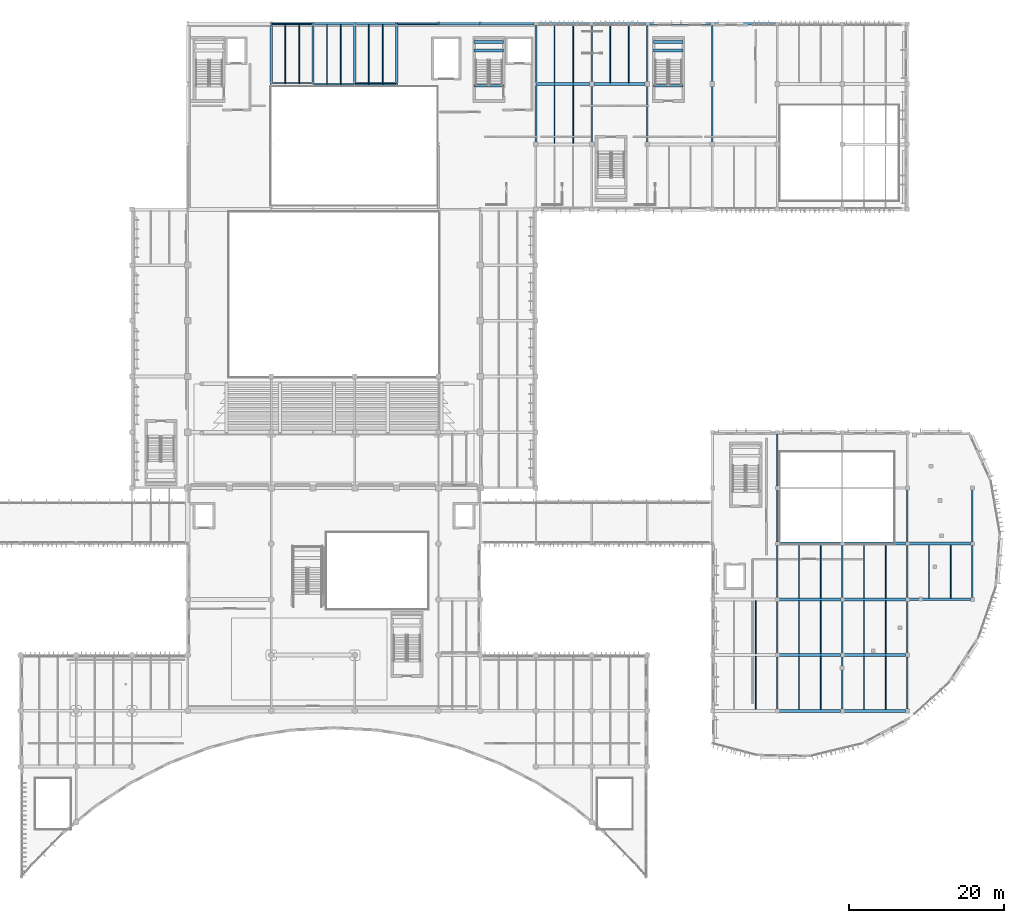
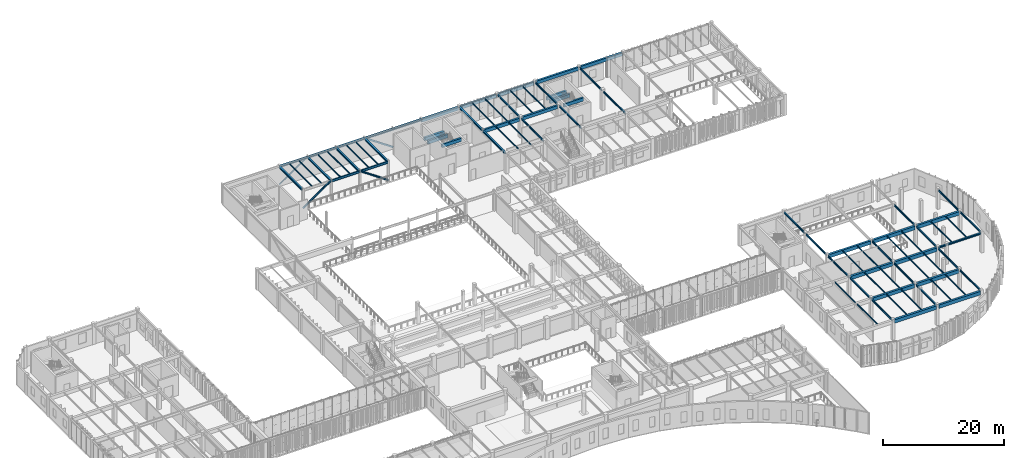
# One storey, part 15 of 122: 84 beams, 4 members.
"""IFC4 building model written with IfcOpenShell, lengths in metres."""

from ifc_helpers import new_model, si_unit, direction, frame, origin, origin_2d, place, context, subcontext, project, spatial, rectangle, hollow_rectangle, hollow_circle, i_section, extrude, material, material_profile, profile_set, type_object, element, save


model = new_model("IFC4")

# Units and contexts
model_context = context("Model", 3, precision=1e-05, world=origin(), true_north=direction((0.0, 1.0)))
body_context = subcontext(model_context, "Body", "Model", "MODEL_VIEW")
ifc_project = project(units=[si_unit("LENGTHUNIT", "METRE"), si_unit("AREAUNIT", "SQUARE_METRE"), si_unit("VOLUMEUNIT", "CUBIC_METRE"), si_unit("PLANEANGLEUNIT", "RADIAN"), si_unit("MASSUNIT", "GRAM", prefix="KILO")], contexts=[model_context])

# Site, building, storey
site_placement = place(None, origin())
site = spatial("IfcSite", under=ifc_project, at=site_placement, CompositionType="ELEMENT")
building_placement = place(site_placement, origin())
building = spatial("IfcBuilding", under=site, at=building_placement, Name="Tazoul Stagehouse", CompositionType="ELEMENT")
storey_placement = place(building_placement, frame((0.0, 0.0, 4.800048828125)))
storey = spatial("IfcBuildingStorey", under=building, at=storey_placement, Name="L01", CompositionType="ELEMENT", Elevation=4.800048828125)

# Members
ifc_material_1 = material(Name="Steel S355", Category="steel")
ifc_material_profile_1 = material_profile(ifc_material_1, hollow_rectangle(XDim=0.199951171875, YDim=0.300048828125, WallThickness=0.012451171875, InnerFilletRadius=0.012451171875, OuterFilletRadius=0.018798828125, at=origin_2d()), Name="RHS 300x200x12.5")
ifc_profile_set_1 = profile_set([ifc_material_profile_1], Name="Steel S355")
member_type_1 = type_object("IfcMemberType", Name="Heavy Frame Brace RHS 300x200x12.5 (Exterior)", PredefinedType="BRACE", material=ifc_profile_set_1)
member_1_placement = place(storey_placement, frame((90.0, 111.800048828125, 0.14990234375), z_axis=(-0.824931084121, 0.0, 0.565233320366), x_axis=(0.0, -1.0, 0.0)))
element("IfcMember", 1, at=member_1_placement, inside=storey, type_object=member_type_1, Name="L01 Concentric Brace BR-06E (BR-FT-L01-N2)", PredefinedType="BRACE", context=body_context, shape_type="SweptSolid", body=[
    extrude(hollow_rectangle(XDim=0.199951171875, YDim=0.300048828125, WallThickness=0.012451171875, InnerFilletRadius=0.012451171875, OuterFilletRadius=0.018798828125, at=origin_2d()), origin(), (0.0, 0.0, 1.0), 6.5458984375),
])
ifc_material_profile_2 = material_profile(ifc_material_1, hollow_rectangle(XDim=0.14990234375, YDim=0.25, WallThickness=0.010009765625, InnerFilletRadius=0.010009765625, OuterFilletRadius=0.014892578125, at=origin_2d()), Name="RHS 250x150x10")
ifc_profile_set_2 = profile_set([ifc_material_profile_2], Name="Steel S355")
member_type_2 = type_object("IfcMemberType", Name="Lateral Frame Brace RHS 250x150x10 (Exterior)", PredefinedType="BRACE", material=ifc_profile_set_2)
member_2_placement = place(storey_placement, frame((68.39990234375, 111.800048828125, 0.14990234375), z_axis=(0.824942999484, 0.0, 0.565215930068), x_axis=(0.0, 1.0, 0.0)))
element("IfcMember", 2, at=member_2_placement, inside=storey, type_object=member_type_2, Name="L01 Concentric Brace BR-05E (BR-FT-L01-N1)", PredefinedType="BRACE", context=body_context, shape_type="SweptSolid", body=[
    extrude(hollow_rectangle(XDim=0.14990234375, YDim=0.25, WallThickness=0.010009765625, InnerFilletRadius=0.010009765625, OuterFilletRadius=0.014892578125, at=origin_2d()), origin(), (0.0, 0.0, 1.0), 6.546142578125),
])

# Beams
ifc_material_2 = material(Name="Concrete C40/50", Category="concrete")
ifc_material_profile_3 = material_profile(ifc_material_2, rectangle(XDim=0.35009765625, YDim=0.64990234375, at=origin_2d()), Name="RC 350x650")
ifc_profile_set_3 = profile_set([ifc_material_profile_3], Name="Concrete C40/50")
beam_type_1 = type_object("IfcBeamType", Name="RC Perimeter Spandrel 350x650 (Exterior)", PredefinedType="SPANDREL", material=ifc_profile_set_3)
beam_1_placement = place(storey_placement, frame((95.409912109375, 111.800048828125, 3.613037109375), z_axis=(1.0, 0.0, 0.0), x_axis=(0.0, 1.0, 0.0)))
element("IfcBeam", 3, at=beam_1_placement, inside=storey, type_object=beam_type_1, Name="L01 Beam SP-01E R/15-16", PredefinedType="SPANDREL", context=body_context, shape_type="SweptSolid", body=[
    extrude(rectangle(XDim=0.35009765625, YDim=0.64990234375, at=origin_2d()), origin(), (0.0, 0.0, 1.0), 6.965087890625),
])
for number, where, z_axis, x_axis, name in (
    (4, (102.824951171875, 111.800048828125, 3.613037109375), (1.0, 0.0, 0.0), (0.0, 1.0, 0.0), "L01 Beam SP-01E R/16-17"),
    (5, (110.02490234375, 111.800048828125, 3.613037109375), (1.0, 0.0, 0.0), (0.0, 1.0, 0.0), "L01 Beam SP-01E R/17-18"),
):
    element("IfcBeam", number, at=place(storey_placement, frame(where, z_axis=z_axis, x_axis=x_axis)), inside=storey, type_object=beam_type_1, Name=name, PredefinedType="SPANDREL", context=body_context, shape_type="SweptSolid", body=[
        extrude(rectangle(XDim=0.35009765625, YDim=0.64990234375, at=origin_2d()), origin(), (0.0, 0.0, 1.0), 6.75),
    ])
for number, where, z_axis, x_axis, name in (
    (6, (117.22509765625, 111.800048828125, 3.613037109375), (1.0, 0.0, 0.0), (0.0, 1.0, 0.0), "L01 Beam SP-01E R/18-19"),
    (7, (125.625, 111.800048828125, 3.613037109375), (1.0, 0.0, 0.0), (0.0, 1.0, 0.0), "L01 Beam SP-01E R/19-20"),
):
    element("IfcBeam", number, at=place(storey_placement, frame(where, z_axis=z_axis, x_axis=x_axis)), inside=storey, type_object=beam_type_1, Name=name, PredefinedType="SPANDREL", context=body_context, shape_type="SweptSolid", body=[
        extrude(rectangle(XDim=0.35009765625, YDim=0.64990234375, at=origin_2d()), origin(), (0.0, 0.0, 1.0), 7.949951171875),
    ])
ifc_material_profile_4 = material_profile(ifc_material_2, rectangle(XDim=0.35009765625, YDim=0.64990234375, at=origin_2d()), Name="RC 350x650")
ifc_profile_set_4 = profile_set([ifc_material_profile_4], Name="Concrete C40/50")
beam_type_2 = type_object("IfcBeamType", Name="RC Primary Girder 350x650", PredefinedType="BEAM", material=ifc_profile_set_4)
beam_2_placement = place(storey_placement, frame((102.610107421875, 104.0, 3.613037109375), z_axis=(1.0, 0.0, 0.0), x_axis=(0.0, 1.0, 0.0)))
element("IfcBeam", 8, at=beam_2_placement, inside=storey, type_object=beam_type_2, Name="L01 Beam BM-01 Q/16-17", PredefinedType="BEAM", context=body_context, shape_type="SweptSolid", body=[
    extrude(rectangle(XDim=0.35009765625, YDim=0.64990234375, at=origin_2d()), origin(), (0.0, 0.0, 1.0), 6.914794921875),
])
beam_3_placement = place(storey_placement, frame((110.074951171875, 104.0, 3.613037109375), z_axis=(1.0, 0.0, 0.0), x_axis=(0.0, 1.0, 0.0)))
element("IfcBeam", 9, at=beam_3_placement, inside=storey, type_object=beam_type_2, Name="L01 Beam BM-01 Q/17-18", PredefinedType="BEAM", context=body_context, shape_type="SweptSolid", body=[
    extrude(rectangle(XDim=0.35009765625, YDim=0.64990234375, at=origin_2d()), origin(), (0.0, 0.0, 1.0), 6.650146484375),
])
for number, where, z_axis, x_axis, name in (
    (10, (94.6201171875, 108.35009765625, 1.579833984375), (1.0, 0.0, 0.0), (0.0, 1.0, 0.0), "L01 Stair Half-Landing Trimmer BM-01 (ST-01-1)"),
    (11, (94.6201171875, 109.449951171875, 1.579833984375), (1.0, 0.0, 0.0), (0.0, 1.0, 0.0), "L01 Stair Half-Landing Trimmer BM-01 (ST-01-2)"),
    (12, (94.6201171875, 103.800048828125, 3.614990234375), (1.0, 0.0, 0.0), (0.0, 1.0, 0.0), "L01 Stair Landing Trimmer BM-01 (ST-01-FL)"),
    (13, (117.820068359375, 108.35009765625, 1.579833984375), (1.0, 0.0, 0.0), (0.0, 1.0, 0.0), "L01 Stair Half-Landing Trimmer BM-01 (ST-02-1)"),
    (14, (117.820068359375, 109.449951171875, 1.579833984375), (1.0, 0.0, 0.0), (0.0, 1.0, 0.0), "L01 Stair Half-Landing Trimmer BM-01 (ST-02-2)"),
    (15, (117.820068359375, 103.800048828125, 3.614990234375), (1.0, 0.0, 0.0), (0.0, 1.0, 0.0), "L01 Stair Landing Trimmer BM-01 (ST-02-FL)"),
):
    element("IfcBeam", number, at=place(storey_placement, frame(where, z_axis=z_axis, x_axis=x_axis)), inside=storey, type_object=beam_type_2, Name=name, PredefinedType="BEAM", context=body_context, shape_type="SweptSolid", body=[
        extrude(rectangle(XDim=0.35009765625, YDim=0.64990234375, at=origin_2d()), origin(), (0.0, 0.0, 1.0), 3.809814453125),
    ])
ifc_material_profile_5 = material_profile(ifc_material_2, rectangle(XDim=0.39990234375, YDim=0.699951171875, at=origin_2d()), Name="RC 400x700")
ifc_profile_set_5 = profile_set([ifc_material_profile_5], Name="Concrete C40/50")
beam_type_3 = type_object("IfcBeamType", Name="RC Primary Girder 400x700", PredefinedType="BEAM", material=ifc_profile_set_5)
beam_4_placement = place(storey_placement, frame((134.02490234375, 23.0, 3.60791015625), z_axis=(1.0, 0.0, 0.0), x_axis=(0.0, 1.0, 0.0)))
element("IfcBeam", 16, at=beam_4_placement, inside=storey, type_object=beam_type_3, Name="L01 Beam BM-02 D/20-21", PredefinedType="BEAM", context=body_context, shape_type="SweptSolid", body=[
    extrude(rectangle(XDim=0.39990234375, YDim=0.699951171875, at=origin_2d()), origin(), (0.0, 0.0, 1.0), 7.9501953125),
])
beam_5_placement = place(storey_placement, frame((142.425048828125, 23.0, 3.60791015625), z_axis=(1.0, 0.0, 0.0), x_axis=(0.0, 1.0, 0.0)))
element("IfcBeam", 17, at=beam_5_placement, inside=storey, type_object=beam_type_3, Name="L01 Beam BM-02 D/21-22", PredefinedType="BEAM", context=body_context, shape_type="SweptSolid", body=[
    extrude(rectangle(XDim=0.39990234375, YDim=0.699951171875, at=origin_2d()), origin(), (0.0, 0.0, 1.0), 7.949951171875),
])
beam_6_placement = place(storey_placement, frame((134.02490234375, 30.199951171875, 3.587890625), z_axis=(1.0, 0.0, 0.0), x_axis=(0.0, 1.0, 0.0)))
element("IfcBeam", 18, at=beam_6_placement, inside=storey, type_object=beam_type_3, Name="L01 Beam BM-02 E/20-21", PredefinedType="BEAM", context=body_context, shape_type="SweptSolid", body=[
    extrude(rectangle(XDim=0.39990234375, YDim=0.699951171875, at=origin_2d()), origin(), (0.0, 0.0, 1.0), 7.9501953125),
])
beam_7_placement = place(storey_placement, frame((142.425048828125, 30.199951171875, 3.587890625), z_axis=(1.0, 0.0, 0.0), x_axis=(0.0, 1.0, 0.0)))
element("IfcBeam", 19, at=beam_7_placement, inside=storey, type_object=beam_type_3, Name="L01 Beam BM-02 E/21-22", PredefinedType="BEAM", context=body_context, shape_type="SweptSolid", body=[
    extrude(rectangle(XDim=0.39990234375, YDim=0.699951171875, at=origin_2d()), origin(), (0.0, 0.0, 1.0), 7.949951171875),
])
beam_8_placement = place(storey_placement, frame((134.02490234375, 37.39990234375, 3.587890625), z_axis=(1.0, 0.0, 0.0), x_axis=(0.0, 1.0, 0.0)))
element("IfcBeam", 20, at=beam_8_placement, inside=storey, type_object=beam_type_3, Name="L01 Beam BM-02 F/20-21", PredefinedType="BEAM", context=body_context, shape_type="SweptSolid", body=[
    extrude(rectangle(XDim=0.39990234375, YDim=0.699951171875, at=origin_2d()), origin(), (0.0, 0.0, 1.0), 7.9501953125),
])
beam_9_placement = place(storey_placement, frame((142.425048828125, 37.39990234375, 3.587890625), z_axis=(1.0, 0.0, 0.0), x_axis=(0.0, 1.0, 0.0)))
element("IfcBeam", 21, at=beam_9_placement, inside=storey, type_object=beam_type_3, Name="L01 Beam BM-02 F/21-22", PredefinedType="BEAM", context=body_context, shape_type="SweptSolid", body=[
    extrude(rectangle(XDim=0.39990234375, YDim=0.699951171875, at=origin_2d()), origin(), (0.0, 0.0, 1.0), 7.949951171875),
])
beam_10_placement = place(storey_placement, frame((134.02490234375, 44.60009765625, 3.587890625), z_axis=(1.0, 0.0, 0.0), x_axis=(0.0, 1.0, 0.0)))
element("IfcBeam", 22, at=beam_10_placement, inside=storey, type_object=beam_type_3, Name="L01 Beam BM-02 G/20-21", PredefinedType="BEAM", context=body_context, shape_type="SweptSolid", body=[
    extrude(rectangle(XDim=0.39990234375, YDim=0.699951171875, at=origin_2d()), origin(), (0.0, 0.0, 1.0), 7.9501953125),
])
for number, where, z_axis, x_axis, name in (
    (23, (142.425048828125, 44.60009765625, 3.587890625), (1.0, 0.0, 0.0), (0.0, 1.0, 0.0), "L01 Beam BM-02 G/21-22"),
    (24, (150.824951171875, 44.60009765625, 3.587890625), (1.0, 0.0, 0.0), (0.0, 1.0, 0.0), "L01 Beam BM-02 G/22-23"),
):
    element("IfcBeam", number, at=place(storey_placement, frame(where, z_axis=z_axis, x_axis=x_axis)), inside=storey, type_object=beam_type_3, Name=name, PredefinedType="BEAM", context=body_context, shape_type="SweptSolid", body=[
        extrude(rectangle(XDim=0.39990234375, YDim=0.699951171875, at=origin_2d()), origin(), (0.0, 0.0, 1.0), 7.949951171875),
    ])

# Members
ifc_material_profile_6 = material_profile(ifc_material_1, hollow_circle(Radius=0.177734375, WallThickness=0.01416015625, at=origin_2d()), Name="CHS 355.6x14.2")
ifc_profile_set_6 = profile_set([ifc_material_profile_6], Name="Steel S355")
member_type_3 = type_object("IfcMemberType", Name="Stagehouse Frame Brace CHS 355.6x14.2", PredefinedType="BRACE", material=ifc_profile_set_6)
for number, where, z_axis, x_axis, name in (
    (25, (68.39990234375, 104.0, 0.119873046875), (0.822803713649, 0.0, 0.568325653833), (0.0, 1.0, 0.0), "L01 Concentric Brace BR-04 (BR-FT-L01-IN1)"),
    (26, (84.60009765625, 104.0, 0.119873046875), (-0.822803713649, 0.0, 0.568325653833), (0.0, -1.0, 0.0), "L01 Concentric Brace BR-04 (BR-FT-L01-IN2)"),
):
    element("IfcMember", number, at=place(storey_placement, frame(where, z_axis=z_axis, x_axis=x_axis)), inside=storey, type_object=member_type_3, Name=name, PredefinedType="BRACE", context=body_context, shape_type="SweptSolid", body=[
        extrude(hollow_circle(Radius=0.177734375, WallThickness=0.01416015625, at=origin_2d()), origin(), (0.0, 0.0, 1.0), 6.56298828125),
    ])

# Beams
ifc_material_profile_7 = material_profile(ifc_material_1, i_section(OverallWidth=0.300048828125, OverallDepth=0.2900390625, WebThickness=0.008544921875, FlangeThickness=0.013916015625, FilletRadius=0.027099609375, at=origin_2d()), Name="HEA 300")
ifc_profile_set_7 = profile_set([ifc_material_profile_7], Name="Steel S355")
beam_type_4 = type_object("IfcBeamType", Name="Steel Crescent Spandrel HEA 300", PredefinedType="SPANDREL", material=ifc_profile_set_7)
beam_11_placement = place(storey_placement, frame((150.824951171875, 37.39990234375, 3.79296875), z_axis=(1.0, 0.0, 0.0), x_axis=(0.0, 1.0, 0.0)))
element("IfcBeam", 27, at=beam_11_placement, inside=storey, type_object=beam_type_4, Name="L01 Beam SP-03 F/22-23", PredefinedType="SPANDREL", context=body_context, shape_type="SweptSolid", body=[
    extrude(i_section(OverallWidth=0.300048828125, OverallDepth=0.2900390625, WebThickness=0.008544921875, FlangeThickness=0.013916015625, FilletRadius=0.027099609375, at=origin_2d()), origin(), (0.0, 0.0, 1.0), 7.949951171875),
])
ifc_material_profile_8 = material_profile(ifc_material_1, i_section(OverallWidth=0.1201171875, OverallDepth=0.239990234375, WebThickness=0.006103515625, FlangeThickness=0.009765625, FilletRadius=0.014892578125, at=origin_2d()), Name="IPE 240")
ifc_profile_set_8 = profile_set([ifc_material_profile_8], Name="Steel S355")
beam_type_5 = type_object("IfcBeamType", Name="Steel Floor Joist IPE 240", PredefinedType="JOIST", material=ifc_profile_set_8)
for number, where, z_axis, x_axis, name in (
    (28, (131.0, 23.175048828125, 3.837890625), (0.0, 1.0, 0.0), (-1.0, 0.0, 0.0), "L01 Joist JS-01 19/D-2"),
    (29, (136.60009765625, 23.175048828125, 3.837890625), (0.0, 1.0, 0.0), (-1.0, 0.0, 0.0), "L01 Joist JS-01 20/D-1"),
    (30, (139.39990234375, 23.175048828125, 3.837890625), (0.0, 1.0, 0.0), (-1.0, 0.0, 0.0), "L01 Joist JS-01 20/D-2"),
    (31, (145.0, 23.175048828125, 3.837890625), (0.0, 1.0, 0.0), (-1.0, 0.0, 0.0), "L01 Joist JS-01 21/D-1"),
    (32, (147.800048828125, 23.175048828125, 3.837890625), (0.0, 1.0, 0.0), (-1.0, 0.0, 0.0), "L01 Joist JS-01 21/D-2"),
):
    element("IfcBeam", number, at=place(storey_placement, frame(where, z_axis=z_axis, x_axis=x_axis)), inside=storey, type_object=beam_type_5, Name=name, PredefinedType="JOIST", context=body_context, shape_type="SweptSolid", body=[
        extrude(i_section(OverallWidth=0.1201171875, OverallDepth=0.239990234375, WebThickness=0.006103515625, FlangeThickness=0.009765625, FilletRadius=0.014892578125, at=origin_2d()), origin(), (0.0, 0.0, 1.0), 6.849853515625),
    ])
for number, where, z_axis, x_axis, name in (
    (33, (131.0, 30.375, 3.81787109375), (0.0, 1.0, 0.0), (-1.0, 0.0, 0.0), "L01 Joist JS-01 19/E-2"),
    (34, (136.60009765625, 30.375, 3.81787109375), (0.0, 1.0, 0.0), (-1.0, 0.0, 0.0), "L01 Joist JS-01 20/E-1"),
    (35, (139.39990234375, 30.375, 3.81787109375), (0.0, 1.0, 0.0), (-1.0, 0.0, 0.0), "L01 Joist JS-01 20/E-2"),
    (36, (145.0, 30.375, 3.81787109375), (0.0, 1.0, 0.0), (-1.0, 0.0, 0.0), "L01 Joist JS-01 21/E-1"),
    (37, (147.800048828125, 30.375, 3.81787109375), (0.0, 1.0, 0.0), (-1.0, 0.0, 0.0), "L01 Joist JS-01 21/E-2"),
    (38, (136.60009765625, 37.574951171875, 3.81787109375), (0.0, 1.0, 0.0), (-1.0, 0.0, 0.0), "L01 Joist JS-01 20/F-1"),
    (39, (139.39990234375, 37.574951171875, 3.81787109375), (0.0, 1.0, 0.0), (-1.0, 0.0, 0.0), "L01 Joist JS-01 20/F-2"),
    (40, (145.0, 37.574951171875, 3.81787109375), (0.0, 1.0, 0.0), (-1.0, 0.0, 0.0), "L01 Joist JS-01 21/F-1"),
    (41, (147.800048828125, 37.574951171875, 3.81787109375), (0.0, 1.0, 0.0), (-1.0, 0.0, 0.0), "L01 Joist JS-01 21/F-2"),
):
    element("IfcBeam", number, at=place(storey_placement, frame(where, z_axis=z_axis, x_axis=x_axis)), inside=storey, type_object=beam_type_5, Name=name, PredefinedType="JOIST", context=body_context, shape_type="SweptSolid", body=[
        extrude(i_section(OverallWidth=0.1201171875, OverallDepth=0.239990234375, WebThickness=0.006103515625, FlangeThickness=0.009765625, FilletRadius=0.014892578125, at=origin_2d()), origin(), (0.0, 0.0, 1.0), 6.85009765625),
    ])
for number, where, z_axis, x_axis, name in (
    (42, (153.39990234375, 37.52490234375, 3.81787109375), (0.0, 1.0, 0.0), (-1.0, 0.0, 0.0), "L01 Joist JS-01 22/F-1"),
    (43, (156.199951171875, 37.52490234375, 3.81787109375), (0.0, 1.0, 0.0), (-1.0, 0.0, 0.0), "L01 Joist JS-01 22/F-2"),
):
    element("IfcBeam", number, at=place(storey_placement, frame(where, z_axis=z_axis, x_axis=x_axis)), inside=storey, type_object=beam_type_5, Name=name, PredefinedType="JOIST", context=body_context, shape_type="SweptSolid", body=[
        extrude(i_section(OverallWidth=0.1201171875, OverallDepth=0.239990234375, WebThickness=0.006103515625, FlangeThickness=0.009765625, FilletRadius=0.014892578125, at=origin_2d()), origin(), (0.0, 0.0, 1.0), 6.900146484375),
    ])
for number, where, z_axis, x_axis, name in (
    (44, (105.0, 96.35009765625, 3.81787109375), (0.0, 1.0, 0.0), (-1.0, 0.0, 0.0), "L01 Joist JS-01 16/P-1"),
    (45, (107.39990234375, 96.35009765625, 3.81787109375), (0.0, 1.0, 0.0), (-1.0, 0.0, 0.0), "L01 Joist JS-01 16/P-2"),
):
    element("IfcBeam", number, at=place(storey_placement, frame(where, z_axis=z_axis, x_axis=x_axis)), inside=storey, type_object=beam_type_5, Name=name, PredefinedType="JOIST", context=body_context, shape_type="SweptSolid", body=[
        extrude(i_section(OverallWidth=0.1201171875, OverallDepth=0.239990234375, WebThickness=0.006103515625, FlangeThickness=0.009765625, FilletRadius=0.014892578125, at=origin_2d()), origin(), (0.0, 0.0, 1.0), 7.5),
    ])
for number, where, z_axis, x_axis, name in (
    (46, (70.199951171875, 104.070068359375, 3.81787109375), (0.0, 1.0, 0.0), (-1.0, 0.0, 0.0), "L01 Joist JS-01 10/Q-1"),
    (47, (72.0, 104.070068359375, 3.81787109375), (0.0, 1.0, 0.0), (-1.0, 0.0, 0.0), "L01 Joist JS-01 10/Q-2"),
    (48, (75.60009765625, 104.070068359375, 3.81787109375), (0.0, 1.0, 0.0), (-1.0, 0.0, 0.0), "L01 Joist JS-01 11/Q-1"),
    (49, (77.39990234375, 104.070068359375, 3.81787109375), (0.0, 1.0, 0.0), (-1.0, 0.0, 0.0), "L01 Joist JS-01 11/Q-2"),
    (50, (81.0, 104.070068359375, 3.81787109375), (0.0, 1.0, 0.0), (-1.0, 0.0, 0.0), "L01 Joist JS-01 12/Q-1"),
    (51, (82.800048828125, 104.070068359375, 3.81787109375), (0.0, 1.0, 0.0), (-1.0, 0.0, 0.0), "L01 Joist JS-01 12/Q-2"),
):
    element("IfcBeam", number, at=place(storey_placement, frame(where, z_axis=z_axis, x_axis=x_axis)), inside=storey, type_object=beam_type_5, Name=name, PredefinedType="JOIST", context=body_context, shape_type="SweptSolid", body=[
        extrude(i_section(OverallWidth=0.1201171875, OverallDepth=0.239990234375, WebThickness=0.006103515625, FlangeThickness=0.009765625, FilletRadius=0.014892578125, at=origin_2d()), origin(), (0.0, 0.0, 1.0), 7.60498046875),
    ])
for number, where, z_axis, x_axis, name in (
    (52, (105.0, 104.14990234375, 3.81787109375), (0.0, 1.0, 0.0), (-1.0, 0.0, 0.0), "L01 Joist JS-01 16/Q-1"),
    (53, (107.39990234375, 104.14990234375, 3.81787109375), (0.0, 1.0, 0.0), (-1.0, 0.0, 0.0), "L01 Joist JS-01 16/Q-2"),
    (54, (112.199951171875, 104.14990234375, 3.81787109375), (0.0, 1.0, 0.0), (-1.0, 0.0, 0.0), "L01 Joist JS-01 17/Q-1"),
    (55, (114.60009765625, 104.14990234375, 3.81787109375), (0.0, 1.0, 0.0), (-1.0, 0.0, 0.0), "L01 Joist JS-01 17/Q-2"),
):
    element("IfcBeam", number, at=place(storey_placement, frame(where, z_axis=z_axis, x_axis=x_axis)), inside=storey, type_object=beam_type_5, Name=name, PredefinedType="JOIST", context=body_context, shape_type="SweptSolid", body=[
        extrude(i_section(OverallWidth=0.1201171875, OverallDepth=0.239990234375, WebThickness=0.006103515625, FlangeThickness=0.009765625, FilletRadius=0.014892578125, at=origin_2d()), origin(), (0.0, 0.0, 1.0), 7.5),
    ])
ifc_material_profile_9 = material_profile(ifc_material_1, i_section(OverallWidth=0.300048828125, OverallDepth=0.35009765625, WebThickness=0.010009765625, FlangeThickness=0.017578125, FilletRadius=0.027099609375, at=origin_2d()), Name="HEA 360")
ifc_profile_set_9 = profile_set([ifc_material_profile_9], Name="Steel S355")
beam_type_6 = type_object("IfcBeamType", Name="Steel Fly-Tower Ring Beam HEA 360", PredefinedType="BEAM", material=ifc_profile_set_9)
beam_12_placement = place(storey_placement, frame((68.39990234375, 104.199951171875, 3.762939453125), z_axis=(0.0, 1.0, 0.0), x_axis=(-1.0, 0.0, 0.0)))
element("IfcBeam", 56, at=beam_12_placement, inside=storey, type_object=beam_type_6, Name="L01 Beam SB-07 10/Q-R", PredefinedType="BEAM", context=body_context, shape_type="SweptSolid", body=[
    extrude(i_section(OverallWidth=0.300048828125, OverallDepth=0.35009765625, WebThickness=0.010009765625, FlangeThickness=0.017578125, FilletRadius=0.027099609375, at=origin_2d()), origin(), (0.0, 0.0, 1.0), 7.400146484375),
])
for number, where, z_axis, x_axis, name in (
    (57, (73.800048828125, 104.155029296875, 3.762939453125), (0.0, 1.0, 0.0), (-1.0, 0.0, 0.0), "L01 Beam SB-07 11/Q-R"),
    (58, (79.199951171875, 104.155029296875, 3.762939453125), (0.0, 1.0, 0.0), (-1.0, 0.0, 0.0), "L01 Beam SB-07 12/Q-R"),
    (59, (84.60009765625, 104.155029296875, 3.762939453125), (0.0, 1.0, 0.0), (-1.0, 0.0, 0.0), "L01 Beam SB-07 13/Q-R"),
):
    element("IfcBeam", number, at=place(storey_placement, frame(where, z_axis=z_axis, x_axis=x_axis)), inside=storey, type_object=beam_type_6, Name=name, PredefinedType="BEAM", context=body_context, shape_type="SweptSolid", body=[
        extrude(i_section(OverallWidth=0.300048828125, OverallDepth=0.35009765625, WebThickness=0.010009765625, FlangeThickness=0.017578125, FilletRadius=0.027099609375, at=origin_2d()), origin(), (0.0, 0.0, 1.0), 7.489990234375),
    ])
beam_13_placement = place(storey_placement, frame((102.60009765625, 96.47509765625, 3.762939453125), z_axis=(0.0, 1.0, 0.0), x_axis=(-1.0, 0.0, 0.0)))
element("IfcBeam", 60, at=beam_13_placement, inside=storey, type_object=beam_type_6, Name="L01 Beam SB-07 16/P-Q", PredefinedType="BEAM", context=body_context, shape_type="SweptSolid", body=[
    extrude(i_section(OverallWidth=0.300048828125, OverallDepth=0.35009765625, WebThickness=0.010009765625, FlangeThickness=0.017578125, FilletRadius=0.027099609375, at=origin_2d()), origin(), (0.0, 0.0, 1.0), 7.324951171875),
])
beam_14_placement = place(storey_placement, frame((102.60009765625, 104.199951171875, 3.762939453125), z_axis=(0.0, 1.0, 0.0), x_axis=(-1.0, 0.0, 0.0)))
element("IfcBeam", 61, at=beam_14_placement, inside=storey, type_object=beam_type_6, Name="L01 Beam SB-07 16/Q-R", PredefinedType="BEAM", context=body_context, shape_type="SweptSolid", body=[
    extrude(i_section(OverallWidth=0.300048828125, OverallDepth=0.35009765625, WebThickness=0.010009765625, FlangeThickness=0.017578125, FilletRadius=0.027099609375, at=origin_2d()), origin(), (0.0, 0.0, 1.0), 7.375),
])
ifc_material_profile_10 = material_profile(ifc_material_1, i_section(OverallWidth=0.300048828125, OverallDepth=0.389892578125, WebThickness=0.010986328125, FlangeThickness=0.01904296875, FilletRadius=0.027099609375, at=origin_2d()), Name="HEA 400")
ifc_profile_set_10 = profile_set([ifc_material_profile_10], Name="Steel S355")
beam_type_7 = type_object("IfcBeamType", Name="Steel Fly-Tower Spandrel HEA 400 (Exterior)", PredefinedType="SPANDREL", material=ifc_profile_set_10)
beam_15_placement = place(storey_placement, frame((68.409912109375, 111.800048828125, 3.742919921875), z_axis=(1.0, 0.0, 0.0), x_axis=(0.0, 1.0, 0.0)))
element("IfcBeam", 62, at=beam_15_placement, inside=storey, type_object=beam_type_7, Name="L01 Beam SP-04E R/10-11", PredefinedType="SPANDREL", context=body_context, shape_type="SweptSolid", body=[
    extrude(i_section(OverallWidth=0.300048828125, OverallDepth=0.389892578125, WebThickness=0.010986328125, FlangeThickness=0.01904296875, FilletRadius=0.027099609375, at=origin_2d()), origin(), (0.0, 0.0, 1.0), 5.380126953125),
])
beam_16_placement = place(storey_placement, frame((73.81005859375, 111.800048828125, 3.742919921875), z_axis=(1.0, 0.0, 0.0), x_axis=(0.0, 1.0, 0.0)))
element("IfcBeam", 63, at=beam_16_placement, inside=storey, type_object=beam_type_7, Name="L01 Beam SP-04E R/11-12", PredefinedType="SPANDREL", context=body_context, shape_type="SweptSolid", body=[
    extrude(i_section(OverallWidth=0.300048828125, OverallDepth=0.389892578125, WebThickness=0.010986328125, FlangeThickness=0.01904296875, FilletRadius=0.027099609375, at=origin_2d()), origin(), (0.0, 0.0, 1.0), 5.3798828125),
])
beam_17_placement = place(storey_placement, frame((79.2099609375, 111.800048828125, 3.742919921875), z_axis=(1.0, 0.0, 0.0), x_axis=(0.0, 1.0, 0.0)))
element("IfcBeam", 64, at=beam_17_placement, inside=storey, type_object=beam_type_7, Name="L01 Beam SP-04E R/12-13", PredefinedType="SPANDREL", context=body_context, shape_type="SweptSolid", body=[
    extrude(i_section(OverallWidth=0.300048828125, OverallDepth=0.389892578125, WebThickness=0.010986328125, FlangeThickness=0.01904296875, FilletRadius=0.027099609375, at=origin_2d()), origin(), (0.0, 0.0, 1.0), 5.380126953125),
])
for number, where, z_axis, x_axis, name in (
    (65, (84.610107421875, 111.800048828125, 3.742919921875), (1.0, 0.0, 0.0), (0.0, 1.0, 0.0), "L01 Beam SP-04E R/13-14"),
    (66, (90.010009765625, 111.800048828125, 3.742919921875), (1.0, 0.0, 0.0), (0.0, 1.0, 0.0), "L01 Beam SP-04E R/14-15"),
):
    element("IfcBeam", number, at=place(storey_placement, frame(where, z_axis=z_axis, x_axis=x_axis)), inside=storey, type_object=beam_type_7, Name=name, PredefinedType="SPANDREL", context=body_context, shape_type="SweptSolid", body=[
        extrude(i_section(OverallWidth=0.300048828125, OverallDepth=0.389892578125, WebThickness=0.010986328125, FlangeThickness=0.01904296875, FilletRadius=0.027099609375, at=origin_2d()), origin(), (0.0, 0.0, 1.0), 5.3798828125),
    ])
ifc_material_profile_11 = material_profile(ifc_material_1, i_section(OverallWidth=0.169921875, OverallDepth=0.360107421875, WebThickness=0.008056640625, FlangeThickness=0.0126953125, FilletRadius=0.01806640625, at=origin_2d()), Name="IPE 360")
ifc_profile_set_11 = profile_set([ifc_material_profile_11], Name="Steel S355")
beam_type_8 = type_object("IfcBeamType", Name="Steel Primary Girder IPE 360", PredefinedType="BEAM", material=ifc_profile_set_11)
beam_18_placement = place(storey_placement, frame((109.800048828125, 96.47509765625, 3.758056640625), z_axis=(0.0, 1.0, 0.0), x_axis=(-1.0, 0.0, 0.0)))
element("IfcBeam", 67, at=beam_18_placement, inside=storey, type_object=beam_type_8, Name="L01 Beam SB-01 17/P-Q", PredefinedType="BEAM", context=body_context, shape_type="SweptSolid", body=[
    extrude(i_section(OverallWidth=0.169921875, OverallDepth=0.360107421875, WebThickness=0.008056640625, FlangeThickness=0.0126953125, FilletRadius=0.01806640625, at=origin_2d()), origin(), (0.0, 0.0, 1.0), 7.25),
])
beam_19_placement = place(storey_placement, frame((109.800048828125, 104.27490234375, 3.758056640625), z_axis=(0.0, 1.0, 0.0), x_axis=(-1.0, 0.0, 0.0)))
element("IfcBeam", 68, at=beam_19_placement, inside=storey, type_object=beam_type_8, Name="L01 Beam SB-01 17/Q-R", PredefinedType="BEAM", context=body_context, shape_type="SweptSolid", body=[
    extrude(i_section(OverallWidth=0.169921875, OverallDepth=0.360107421875, WebThickness=0.008056640625, FlangeThickness=0.0126953125, FilletRadius=0.01806640625, at=origin_2d()), origin(), (0.0, 0.0, 1.0), 7.300048828125),
])
beam_20_placement = place(storey_placement, frame((117.0, 96.47509765625, 3.758056640625), z_axis=(0.0, 1.0, 0.0), x_axis=(-1.0, 0.0, 0.0)))
element("IfcBeam", 69, at=beam_20_placement, inside=storey, type_object=beam_type_8, Name="L01 Beam SB-01 18/P-Q", PredefinedType="BEAM", context=body_context, shape_type="SweptSolid", body=[
    extrude(i_section(OverallWidth=0.169921875, OverallDepth=0.360107421875, WebThickness=0.008056640625, FlangeThickness=0.0126953125, FilletRadius=0.01806640625, at=origin_2d()), origin(), (0.0, 0.0, 1.0), 7.25),
])
beam_21_placement = place(storey_placement, frame((117.0, 104.27490234375, 3.758056640625), z_axis=(0.0, 1.0, 0.0), x_axis=(-1.0, 0.0, 0.0)))
element("IfcBeam", 70, at=beam_21_placement, inside=storey, type_object=beam_type_8, Name="L01 Beam SB-01 18/Q-R", PredefinedType="BEAM", context=body_context, shape_type="SweptSolid", body=[
    extrude(i_section(OverallWidth=0.169921875, OverallDepth=0.360107421875, WebThickness=0.008056640625, FlangeThickness=0.0126953125, FilletRadius=0.01806640625, at=origin_2d()), origin(), (0.0, 0.0, 1.0), 7.300048828125),
])
beam_22_placement = place(storey_placement, frame((125.39990234375, 96.47509765625, 3.758056640625), z_axis=(0.0, 1.0, 0.0), x_axis=(-1.0, 0.0, 0.0)))
element("IfcBeam", 71, at=beam_22_placement, inside=storey, type_object=beam_type_8, Name="L01 Beam SB-01 19/P-Q", PredefinedType="BEAM", context=body_context, shape_type="SweptSolid", body=[
    extrude(i_section(OverallWidth=0.169921875, OverallDepth=0.360107421875, WebThickness=0.008056640625, FlangeThickness=0.0126953125, FilletRadius=0.01806640625, at=origin_2d()), origin(), (0.0, 0.0, 1.0), 7.25),
])
beam_23_placement = place(storey_placement, frame((125.39990234375, 104.27490234375, 3.758056640625), z_axis=(0.0, 1.0, 0.0), x_axis=(-1.0, 0.0, 0.0)))
element("IfcBeam", 72, at=beam_23_placement, inside=storey, type_object=beam_type_8, Name="L01 Beam SB-01 19/Q-R", PredefinedType="BEAM", context=body_context, shape_type="SweptSolid", body=[
    extrude(i_section(OverallWidth=0.169921875, OverallDepth=0.360107421875, WebThickness=0.008056640625, FlangeThickness=0.0126953125, FilletRadius=0.01806640625, at=origin_2d()), origin(), (0.0, 0.0, 1.0), 7.300048828125),
])
for number, where, z_axis, x_axis, name in (
    (73, (133.800048828125, 23.22509765625, 3.758056640625), (0.0, 1.0, 0.0), (-1.0, 0.0, 0.0), "L01 Beam SB-01 20/D-E"),
    (74, (133.800048828125, 30.425048828125, 3.758056640625), (0.0, 1.0, 0.0), (-1.0, 0.0, 0.0), "L01 Beam SB-01 20/E-F"),
    (75, (133.800048828125, 37.625, 3.758056640625), (0.0, 1.0, 0.0), (-1.0, 0.0, 0.0), "L01 Beam SB-01 20/F-G"),
    (76, (133.800048828125, 44.824951171875, 3.758056640625), (0.0, 1.0, 0.0), (-1.0, 0.0, 0.0), "L01 Beam SB-01 20/G-H"),
    (77, (133.800048828125, 52.02490234375, 3.758056640625), (0.0, 1.0, 0.0), (-1.0, 0.0, 0.0), "L01 Beam SB-01 20/H-J"),
    (78, (142.199951171875, 23.22509765625, 3.758056640625), (0.0, 1.0, 0.0), (-1.0, 0.0, 0.0), "L01 Beam SB-01 21/D-E"),
    (79, (142.199951171875, 30.425048828125, 3.758056640625), (0.0, 1.0, 0.0), (-1.0, 0.0, 0.0), "L01 Beam SB-01 21/E-F"),
    (80, (142.199951171875, 37.625, 3.758056640625), (0.0, 1.0, 0.0), (-1.0, 0.0, 0.0), "L01 Beam SB-01 21/F-G"),
    (81, (150.60009765625, 23.22509765625, 3.77783203125), (0.0, 1.0, 0.0), (-1.0, 0.0, 0.0), "L01 Beam SB-01 22/D-E"),
    (82, (150.60009765625, 30.425048828125, 3.758056640625), (0.0, 1.0, 0.0), (-1.0, 0.0, 0.0), "L01 Beam SB-01 22/E-F"),
    (83, (150.60009765625, 37.625, 3.758056640625), (0.0, 1.0, 0.0), (-1.0, 0.0, 0.0), "L01 Beam SB-01 22/F-G"),
    (84, (150.60009765625, 44.824951171875, 3.758056640625), (0.0, 1.0, 0.0), (-1.0, 0.0, 0.0), "L01 Beam SB-01 22/G-H"),
    (85, (159.0, 37.625, 3.77783203125), (0.0, 1.0, 0.0), (-1.0, 0.0, 0.0), "L01 Beam SB-01 23/F-G"),
    (86, (159.0, 44.824951171875, 3.77783203125), (0.0, 1.0, 0.0), (-1.0, 0.0, 0.0), "L01 Beam SB-01 23/G-H"),
):
    element("IfcBeam", number, at=place(storey_placement, frame(where, z_axis=z_axis, x_axis=x_axis)), inside=storey, type_object=beam_type_8, Name=name, PredefinedType="BEAM", context=body_context, shape_type="SweptSolid", body=[
        extrude(i_section(OverallWidth=0.169921875, OverallDepth=0.360107421875, WebThickness=0.008056640625, FlangeThickness=0.0126953125, FilletRadius=0.01806640625, at=origin_2d()), origin(), (0.0, 0.0, 1.0), 6.75),
    ])
ifc_material_profile_12 = material_profile(ifc_material_1, i_section(OverallWidth=0.18994140625, OverallDepth=0.449951171875, WebThickness=0.009521484375, FlangeThickness=0.0146484375, FilletRadius=0.02099609375, at=origin_2d()), Name="IPE 450")
ifc_profile_set_12 = profile_set([ifc_material_profile_12], Name="Steel S355")
beam_type_9 = type_object("IfcBeamType", Name="Steel Stage Girder IPE 450", PredefinedType="BEAM", material=ifc_profile_set_12)
beam_24_placement = place(storey_placement, frame((73.81005859375, 104.0, 3.712890625), z_axis=(1.0, 0.0, 0.0), x_axis=(0.0, 1.0, 0.0)))
element("IfcBeam", 87, at=beam_24_placement, inside=storey, type_object=beam_type_9, Name="L01 Beam SB-03 Q/11-12", PredefinedType="BEAM", context=body_context, shape_type="SweptSolid", body=[
    extrude(i_section(OverallWidth=0.18994140625, OverallDepth=0.449951171875, WebThickness=0.009521484375, FlangeThickness=0.0146484375, FilletRadius=0.02099609375, at=origin_2d()), origin(), (0.0, 0.0, 1.0), 5.3798828125),
])
beam_25_placement = place(storey_placement, frame((79.2099609375, 104.0, 3.712890625), z_axis=(1.0, 0.0, 0.0), x_axis=(0.0, 1.0, 0.0)))
element("IfcBeam", 88, at=beam_25_placement, inside=storey, type_object=beam_type_9, Name="L01 Beam SB-03 Q/12-13", PredefinedType="BEAM", context=body_context, shape_type="SweptSolid", body=[
    extrude(i_section(OverallWidth=0.18994140625, OverallDepth=0.449951171875, WebThickness=0.009521484375, FlangeThickness=0.0146484375, FilletRadius=0.02099609375, at=origin_2d()), origin(), (0.0, 0.0, 1.0), 5.380126953125),
])

save(model, "model.ifc")
